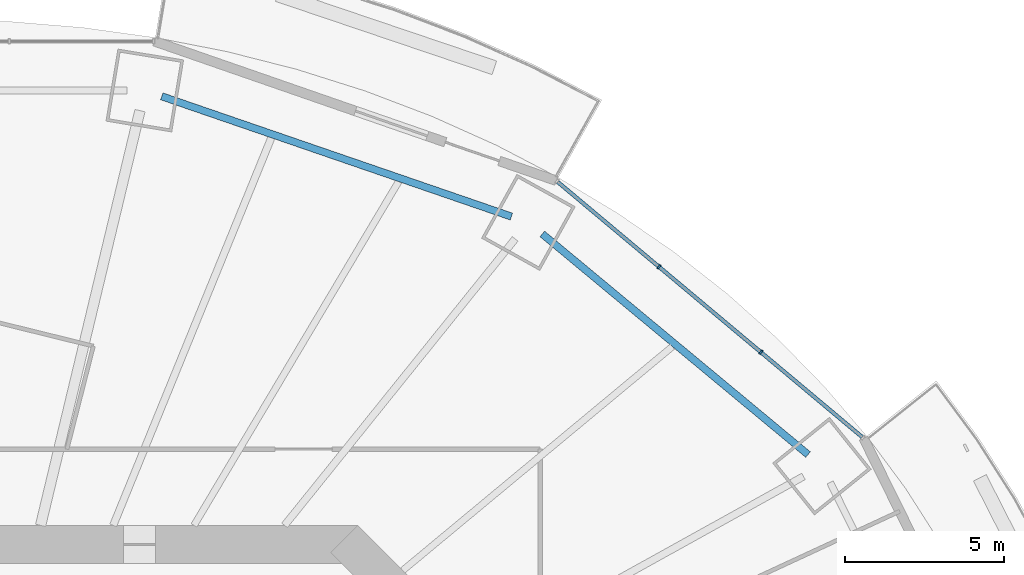
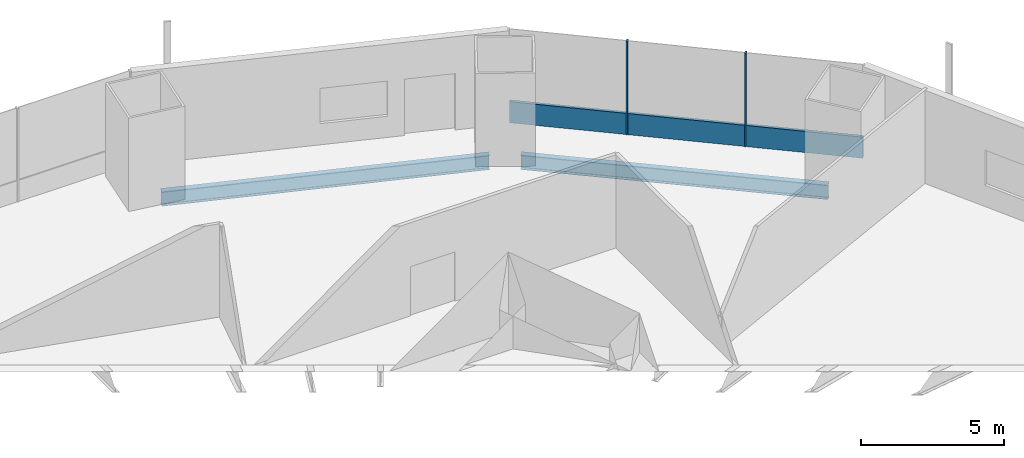
# One storey, part 10 of 22: 3 members, 2 beams, 1 element without a shape of its own.
"""IFC4 building model written with IfcOpenShell, lengths in metres."""

from ifc_helpers import new_model, si_unit, direction, frame, origin, origin_2d, place, context, subcontext, project, spatial, rectangle, i_section, extrude, material, material_profile, profile_set, type_object, element, aggregate, save


model = new_model("IFC4")

# Units and contexts
model_context = context("Model", 3, precision=1e-05, world=origin(), true_north=direction((0.0, 1.0)))
body_context = subcontext(model_context, "Body", "Model", "MODEL_VIEW")
ifc_project = project(units=[si_unit("LENGTHUNIT", "METRE"), si_unit("AREAUNIT", "SQUARE_METRE"), si_unit("VOLUMEUNIT", "CUBIC_METRE"), si_unit("PLANEANGLEUNIT", "RADIAN"), si_unit("MASSUNIT", "GRAM", prefix="KILO")], contexts=[model_context])

# Site, building, storey
site_placement = place(None, origin())
site = spatial("IfcSite", under=ifc_project, at=site_placement, CompositionType="ELEMENT")
building_placement = place(site_placement, origin())
building = spatial("IfcBuilding", under=site, at=building_placement, Name="Marenthal Gate Tower", CompositionType="ELEMENT")
storey_placement = place(building_placement, frame((0.0, 0.0, 91.10009765625)))
storey = spatial("IfcBuildingStorey", under=building, at=storey_placement, Name="L18", CompositionType="ELEMENT", Elevation=91.10009765625)

# Curtain wall, members
ifc_material_1 = material(Name="Aluminium and glass", Category="aluminium")
curtain_wall_type = type_object("IfcCurtainWallType", Name="Curtain wall typical low", PredefinedType="NOTDEFINED", material=ifc_material_1)
curtain_wall_placement = place(storey_placement, origin())
curtain_wall = element("IfcCurtainWall", 1, at=curtain_wall_placement, inside=storey, type_object=curtain_wall_type, Name="Curtain wall L18 bay 2", PredefinedType="NOTDEFINED")
ifc_material_2 = material(Name="Aluminium", Category="aluminium")
ifc_material_profile_1 = material_profile(ifc_material_2, rectangle(XDim=0.159912109375, YDim=0.06005859375, at=origin_2d()), Name="60x160 aluminium mullion")
ifc_profile_set_1 = profile_set([ifc_material_profile_1], Name="Aluminium")
member_type_1 = type_object("IfcMemberType", Name="Mullion 60x160 typical low", PredefinedType="MULLION", material=ifc_profile_set_1)
member_1_placement = place(storey_placement, frame((25.95703125, 19.0556640625, 0.0), z_axis=(0.0, 0.0, 1.0), x_axis=(-0.642228281301, -0.766513427604, 0.0)))
member_1 = element("IfcMember", 2, at=member_1_placement, type_object=member_type_1, Name="Mullion L18 bay 2.2", PredefinedType="MULLION", context=body_context, shape_type="SweptSolid", body=[
    extrude(rectangle(XDim=0.159912109375, YDim=0.06005859375, at=origin_2d()), origin(), (0.0, 0.0, 1.0), 3.969970703125),
])
member_2_placement = place(storey_placement, frame((22.743408203125, 21.748291015625, 0.0), z_axis=(0.0, 0.0, 1.0), x_axis=(-0.642228281301, -0.766513427604, 0.0)))
member_2 = element("IfcMember", 3, at=member_2_placement, type_object=member_type_1, Name="Mullion L18 bay 2.3", PredefinedType="MULLION", context=body_context, shape_type="SweptSolid", body=[
    extrude(rectangle(XDim=0.159912109375, YDim=0.06005859375, at=origin_2d()), origin(), (0.0, 0.0, 1.0), 3.969970703125),
])
ifc_material_3 = material(Name="Aluminium", Category="aluminium")
ifc_material_profile_2 = material_profile(ifc_material_3, rectangle(XDim=0.1201171875, YDim=0.89990234375, at=origin_2d()), Name="120x900 aluminium transom")
ifc_profile_set_2 = profile_set([ifc_material_profile_2], Name="Aluminium")
member_type_2 = type_object("IfcMemberType", Name="Transom 120x900 typical low", PredefinedType="USERDEFINED", material=ifc_profile_set_2)
member_3_placement = place(storey_placement, frame((29.147705078125, 16.38232421875, 0.449951171875), z_axis=(-0.766517626831, 0.642223269399, 0.0), x_axis=(-0.642223269399, -0.766517626831, 0.0)))
member_3 = element("IfcMember", 4, at=member_3_placement, type_object=member_type_2, Name="Transom L18 bay 2", ObjectType="TRANSOM", PredefinedType="USERDEFINED", context=body_context, shape_type="SweptSolid", body=[
    extrude(rectangle(XDim=0.1201171875, YDim=0.89990234375, at=origin_2d()), origin(), (0.0, 0.0, 1.0), 12.517822265625),
])
aggregate(curtain_wall, [member_1, member_2, member_3])

# Beams
ifc_material_4 = material(Name="Steel S355", Category="steel")
ifc_material_profile_3 = material_profile(ifc_material_4, i_section(OverallWidth=0.22900390625, OverallDepth=0.612060546875, WebThickness=0.011962890625, FlangeThickness=0.01953125, FilletRadius=0.0126953125, at=origin_2d()), Name="W610X125")
ifc_profile_set_3 = profile_set([ifc_material_profile_3], Name="Steel S355")
beam_type = type_object("IfcBeamType", Name="W610X125 beam", PredefinedType="BEAM", material=ifc_profile_set_3)
beam_1_placement = place(storey_placement, frame((27.4404296875, 15.8310546875, -0.486083984375), z_axis=(-0.769402188258, 0.638764645784, 0.0), x_axis=(-0.638764645784, -0.769402188258, 0.0)))
element("IfcBeam", 5, at=beam_1_placement, inside=storey, type_object=beam_type, Name="BM-L18-42", PredefinedType="BEAM", context=body_context, shape_type="SweptSolid", body=[
    extrude(i_section(OverallWidth=0.22900390625, OverallDepth=0.612060546875, WebThickness=0.011962890625, FlangeThickness=0.01953125, FilletRadius=0.0126953125, at=origin_2d()), origin(), (0.0, 0.0, 1.0), 10.884033203125),
])
beam_2_placement = place(storey_placement, frame((18.09326171875, 23.330810546875, -0.486083984375), z_axis=(-0.945652773526, 0.32517815413, 0.0), x_axis=(-0.32517815413, -0.945652773526, 0.0)))
element("IfcBeam", 6, at=beam_2_placement, inside=storey, type_object=beam_type, Name="BM-L18-43", PredefinedType="BEAM", context=body_context, shape_type="SweptSolid", body=[
    extrude(i_section(OverallWidth=0.22900390625, OverallDepth=0.612060546875, WebThickness=0.011962890625, FlangeThickness=0.01953125, FilletRadius=0.0126953125, at=origin_2d()), origin(), (0.0, 0.0, 1.0), 11.65087890625),
])

save(model, "model.ifc")
